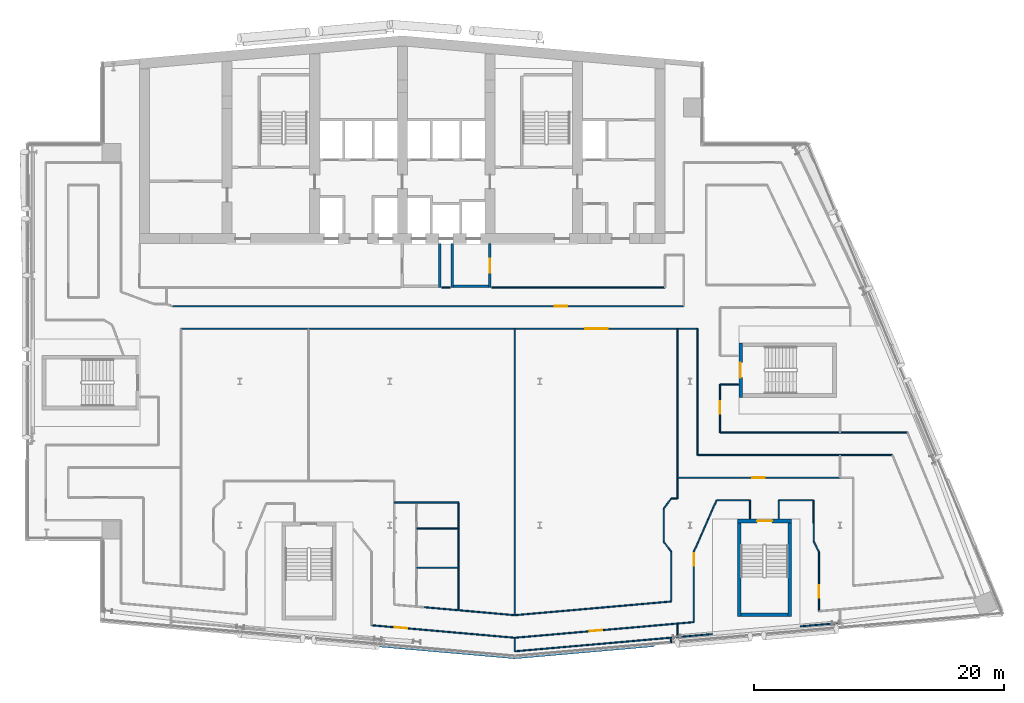
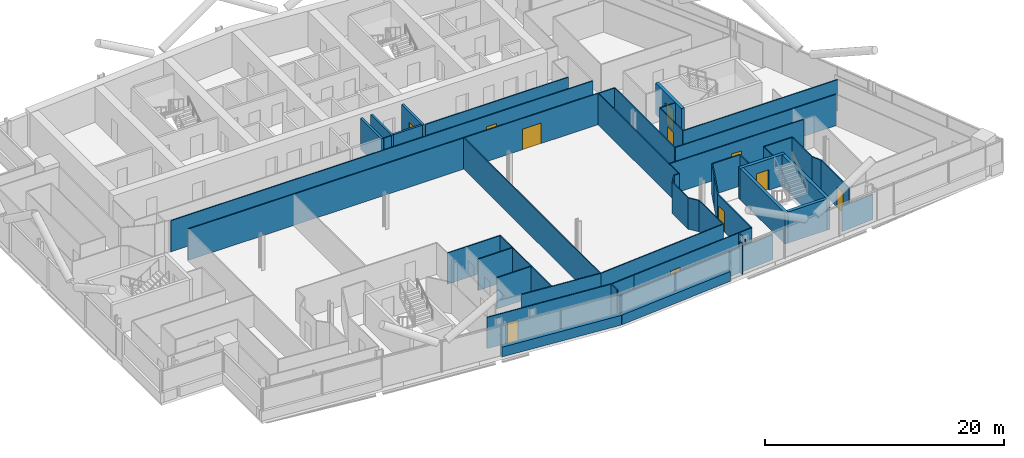
# One storey, part 16 of 28: 52 walls, 11 doors, 11 openings.
"""IFC4 building model written with IfcOpenShell, lengths in metres."""

from ifc_helpers import new_model, si_unit, direction, frame, frame_2d, origin, place, context, subcontext, project, spatial, rectangle, extrude, material, layer, layer_set, type_object, element, fill, save


model = new_model("IFC4")

# Units and contexts
model_context = context("Model", 3, precision=1e-05, world=origin(), true_north=direction((0.0, 1.0)))
body_context = subcontext(model_context, "Body", "Model", "MODEL_VIEW")
ifc_project = project(units=[si_unit("LENGTHUNIT", "METRE"), si_unit("AREAUNIT", "SQUARE_METRE"), si_unit("VOLUMEUNIT", "CUBIC_METRE"), si_unit("PLANEANGLEUNIT", "RADIAN"), si_unit("MASSUNIT", "GRAM", prefix="KILO")], contexts=[model_context])

# Site, building, storey
site_placement = place(None, origin())
site = spatial("IfcSite", under=ifc_project, at=site_placement, CompositionType="ELEMENT")
building_placement = place(site_placement, origin())
building = spatial("IfcBuilding", under=site, at=building_placement, Name="Wharfspan Tower", CompositionType="ELEMENT")
storey_placement = place(building_placement, frame((0.0, 0.0, 187.899902)))
storey = spatial("IfcBuildingStorey", under=building, at=storey_placement, Name="L46", CompositionType="ELEMENT", Elevation=187.899902)

# Wall, opening, door
ifc_material_1 = material(Name="Gypsum board on steel studs", Category="steel")
ifc_layer_1 = layer(ifc_material_1, 0.100098)
ifc_layer_set_1 = layer_set([ifc_layer_1], Name="Gypsum board on steel studs")
wall_type_1 = type_object("IfcWallType", Name="Compartment wall 100 EI 60", PredefinedType="PARTITIONING", material=ifc_layer_set_1)
wall_1_placement = place(storey_placement, frame((18.63501, 29.0, 0.0), z_axis=(0.0, 0.0, 1.0), x_axis=(1.0, 0.0, 0.0)))
wall_1 = element("IfcWall", 1, at=wall_1_placement, inside=storey, type_object=wall_type_1, Name="Partition L46.w035", PredefinedType="PARTITIONING", context=body_context, shape_type="SweptSolid", body=[
    extrude(rectangle(XDim=40.86499, YDim=0.100098, at=frame_2d((20.432617, 0.0))), origin(), (0.0, 0.0, 1.0), 3.200195),
])
opening_1_placement = place(wall_1_placement, frame((30.544922, 0.0, 0.0)))
opening_1 = element("IfcOpeningElement", 2, at=opening_1_placement, cuts=wall_1, Name="Opening C5-20", PredefinedType="OPENING", context=body_context, shape_type="SweptSolid", body=[
    extrude(rectangle(XDim=1.0, YDim=2.100098, at=frame_2d((0.5, 1.050049))), frame((0.0, 0.060059, 0.0), z_axis=(0.0, -1.0, 0.0), x_axis=(1.0, 0.0, 0.0)), (0.0, 0.0, 1.0), 0.120117),
])
ifc_material_2 = material(Name="Fire-rated timber door leaf in steel frame", Category="steel")
door_type_1 = type_object("IfcDoorType", Name="Door 1000 FD30S Right", OperationType="SINGLE_SWING_RIGHT", PredefinedType="DOOR", material=ifc_material_2)
door_1_placement = place(opening_1_placement, origin())
door_1 = element("IfcDoor", 3, at=door_1_placement, inside=storey, type_object=door_type_1, Name="Door C5-20", OperationType="SINGLE_SWING_RIGHT", OverallHeight=2.100098, OverallWidth=1.0, PredefinedType="DOOR", context=body_context, shape_type="SweptSolid", body=[
    extrude(rectangle(XDim=1.0, YDim=2.100098, at=frame_2d((0.5, 1.050049))), frame((0.0, 0.024902, 0.0), z_axis=(0.0, -1.0, 0.0), x_axis=(1.0, 0.0, 0.0)), (0.0, 0.0, 1.0), 0.050049),
])
fill(opening_1, door_1)

wall_2_placement = place(storey_placement, frame((19.300049, 27.199951, 0.0), z_axis=(0.0, 0.0, 1.0), x_axis=(1.0, 0.0, 0.0)))
wall_2 = element("IfcWall", 4, at=wall_2_placement, inside=storey, type_object=wall_type_1, Name="Partition L46.w037", PredefinedType="PARTITIONING", context=body_context, shape_type="SweptSolid", body=[
    extrude(rectangle(XDim=41.304932, YDim=0.100098, at=frame_2d((20.652344, 0.0))), origin(), (0.0, 0.0, 1.0), 3.200195),
])
opening_2_placement = place(wall_2_placement, frame((32.320068, 0.0, 0.0)))
opening_2 = element("IfcOpeningElement", 5, at=opening_2_placement, cuts=wall_2, Name="Opening C5-18", PredefinedType="OPENING", context=body_context, shape_type="SweptSolid", body=[
    extrude(rectangle(XDim=1.800049, YDim=2.100098, at=frame_2d((0.899902, 1.050049))), frame((0.0, 0.060059, 0.0), z_axis=(0.0, -1.0, 0.0), x_axis=(1.0, 0.0, 0.0)), (0.0, 0.0, 1.0), 0.120117),
])
door_type_2 = type_object("IfcDoorType", Name="Door 1800 FD30S Double", OperationType="DOUBLE_DOOR_SINGLE_SWING", PredefinedType="DOOR", material=ifc_material_2)
door_2_placement = place(opening_2_placement, origin())
door_2 = element("IfcDoor", 6, at=door_2_placement, inside=storey, type_object=door_type_2, Name="Door C5-18", OperationType="DOUBLE_DOOR_SINGLE_SWING", OverallHeight=2.100098, OverallWidth=1.800049, PredefinedType="DOOR", context=body_context, shape_type="SweptSolid", body=[
    extrude(rectangle(XDim=1.800049, YDim=2.100098, at=frame_2d((0.899902, 1.050049))), frame((0.0, 0.024902, 0.0), z_axis=(0.0, -1.0, 0.0), x_axis=(1.0, 0.0, 0.0)), (0.0, 0.0, 1.0), 0.050049),
])
fill(opening_2, door_2)

# Walls
wall_3_placement = place(storey_placement, frame((36.350098, 13.300049, 0.0), z_axis=(0.0, 0.0, 1.0), x_axis=(1.0, 0.0, 0.0)))
element("IfcWall", 7, at=wall_3_placement, inside=storey, type_object=wall_type_1, Name="Partition L46.w059", PredefinedType="PARTITIONING", context=body_context, shape_type="SweptSolid", body=[
    extrude(rectangle(XDim=5.149902, YDim=0.100098, at=frame_2d((2.574951, 0.0))), origin(), (0.0, 0.0, 1.0), 3.200195),
])
wall_4_placement = place(storey_placement, frame((41.5, 4.695068, 0.0), z_axis=(0.0, 0.0, 1.0), x_axis=(0.0, 1.0, 0.0)))
element("IfcWall", 8, at=wall_4_placement, inside=storey, type_object=wall_type_1, Name="Partition L46.w065", PredefinedType="PARTITIONING", context=body_context, shape_type="SweptSolid", body=[
    extrude(rectangle(XDim=8.60498, YDim=0.100098, at=frame_2d((4.30249, 0.0))), origin(), (0.0, 0.0, 1.0), 3.200195),
])
wall_5_placement = place(storey_placement, frame((46.0, 4.300049, 0.0), z_axis=(0.0, 0.0, 1.0), x_axis=(-0.996173, 0.087448, 0.0)))
element("IfcWall", 9, at=wall_5_placement, inside=storey, type_object=wall_type_1, Name="Partition L46.w066", PredefinedType="PARTITIONING", context=body_context, shape_type="SweptSolid", body=[
    extrude(rectangle(XDim=7.314697, YDim=0.100098, at=frame_2d((3.657227, 0.0))), origin(), (0.0, 0.0, 1.0), 3.200195),
])
wall_6_placement = place(storey_placement, frame((46.0, 1.415039, 0.0), z_axis=(0.0, 0.0, 1.0), x_axis=(0.0, 1.0, 0.0)))
element("IfcWall", 10, at=wall_6_placement, inside=storey, type_object=wall_type_1, Name="Partition L46.w068", PredefinedType="PARTITIONING", context=body_context, shape_type="SweptSolid", body=[
    extrude(rectangle(XDim=1.080078, YDim=0.100098, at=frame_2d((0.540039, 0.0))), origin(), (0.0, 0.0, 1.0), 3.200195),
])

# Wall, opening, door
wall_7_placement = place(storey_placement, frame((46.0, 2.495117, 0.0), z_axis=(0.0, 0.0, 1.0), x_axis=(-0.996214, 0.08693, 0.0)))
wall_7 = element("IfcWall", 11, at=wall_7_placement, inside=storey, type_object=wall_type_1, Name="Partition L46.w069", PredefinedType="PARTITIONING", context=body_context, shape_type="SweptSolid", body=[
    extrude(rectangle(XDim=11.503418, YDim=0.100098, at=frame_2d((5.751709, 0.0))), origin(), (0.0, 0.0, 1.0), 3.200195),
])
opening_3_placement = place(wall_7_placement, frame((8.64209, 0.0, 0.0)))
opening_3 = element("IfcOpeningElement", 12, at=opening_3_placement, cuts=wall_7, Name="Opening C5-02", PredefinedType="OPENING", context=body_context, shape_type="SweptSolid", body=[
    extrude(rectangle(XDim=1.0, YDim=2.100098, at=frame_2d((0.5, 1.050049))), frame((0.0, 0.060059, 0.0), z_axis=(0.0, -1.0, 0.0), x_axis=(1.0, 0.0, 0.0)), (0.0, 0.0, 1.0), 0.120117),
])
door_3_placement = place(opening_3_placement, origin())
door_3 = element("IfcDoor", 13, at=door_3_placement, inside=storey, type_object=door_type_1, Name="Door C5-02", OperationType="SINGLE_SWING_RIGHT", OverallHeight=2.100098, OverallWidth=1.0, PredefinedType="DOOR", context=body_context, shape_type="SweptSolid", body=[
    extrude(rectangle(XDim=1.0, YDim=2.100098, at=frame_2d((0.5, 1.050049))), frame((0.0, 0.024902, 0.0), z_axis=(0.0, -1.0, 0.0), x_axis=(1.0, 0.0, 0.0)), (0.0, 0.0, 1.0), 0.050049),
])
fill(opening_3, door_3)

# Walls
wall_8_placement = place(storey_placement, frame((46.0, 4.300049, 0.0), z_axis=(0.0, 0.0, 1.0), x_axis=(0.0, 1.0, 0.0)))
element("IfcWall", 14, at=wall_8_placement, inside=storey, type_object=wall_type_1, Name="Partition L46.w070", PredefinedType="PARTITIONING", context=body_context, shape_type="SweptSolid", body=[
    extrude(rectangle(XDim=22.899902, YDim=0.100098, at=frame_2d((11.449951, 0.0))), origin(), (0.0, 0.0, 1.0), 3.200195),
])
wall_9_placement = place(storey_placement, frame((46.0, 2.495117, 0.0), z_axis=(0.0, 0.0, 1.0), x_axis=(0.996324, 0.085703, 0.0)))
element("IfcWall", 15, at=wall_9_placement, inside=storey, type_object=wall_type_1, Name="Partition L46.w071", PredefinedType="PARTITIONING", context=body_context, shape_type="SweptSolid", body=[
    extrude(rectangle(XDim=2.273193, YDim=0.100098, at=frame_2d((1.136719, 0.0))), origin(), (0.0, 0.0, 1.0), 3.200195),
])
wall_10_placement = place(storey_placement, frame((46.0, 4.300049, 0.0), z_axis=(0.0, 0.0, 1.0), x_axis=(0.996189, 0.087194, 0.0)))
element("IfcWall", 16, at=wall_10_placement, inside=storey, type_object=wall_type_1, Name="Partition L46.w072", PredefinedType="PARTITIONING", context=body_context, shape_type="SweptSolid", body=[
    extrude(rectangle(XDim=12.557861, YDim=0.100098, at=frame_2d((6.278809, 0.0))), origin(), (0.0, 0.0, 1.0), 3.200195),
])

# Wall, opening, door
wall_11_placement = place(storey_placement, frame((48.264893, 2.689941, 0.0), z_axis=(0.0, 0.0, 1.0), x_axis=(0.996187, 0.087229, 0.0)))
wall_11 = element("IfcWall", 17, at=wall_11_placement, inside=storey, type_object=wall_type_1, Name="Partition L46.w073", PredefinedType="PARTITIONING", context=body_context, shape_type="SweptSolid", body=[
    extrude(rectangle(XDim=12.091064, YDim=0.100098, at=frame_2d((6.04541, 0.0))), origin(), (0.0, 0.0, 1.0), 3.200195),
])
opening_4_placement = place(wall_11_placement, frame((3.746582, 0.0, 0.0)))
opening_4 = element("IfcOpeningElement", 18, at=opening_4_placement, cuts=wall_11, Name="Opening C5-01", PredefinedType="OPENING", context=body_context, shape_type="SweptSolid", body=[
    extrude(rectangle(XDim=1.0, YDim=2.100098, at=frame_2d((0.5, 1.050049))), frame((0.0, 0.060059, 0.0), z_axis=(0.0, -1.0, 0.0), x_axis=(1.0, 0.0, 0.0)), (0.0, 0.0, 1.0), 0.120117),
])
door_type_3 = type_object("IfcDoorType", Name="Door 1000 FD30S Left", OperationType="SINGLE_SWING_LEFT", PredefinedType="DOOR", material=ifc_material_2)
door_4_placement = place(opening_4_placement, origin())
door_4 = element("IfcDoor", 19, at=door_4_placement, inside=storey, type_object=door_type_3, Name="Door C5-01", OperationType="SINGLE_SWING_LEFT", OverallHeight=2.100098, OverallWidth=1.0, PredefinedType="DOOR", context=body_context, shape_type="SweptSolid", body=[
    extrude(rectangle(XDim=1.0, YDim=2.100098, at=frame_2d((0.5, 1.050049))), frame((0.0, 0.024902, 0.0), z_axis=(0.0, -1.0, 0.0), x_axis=(1.0, 0.0, 0.0)), (0.0, 0.0, 1.0), 0.050049),
])
fill(opening_4, door_4)

# Walls
wall_12_placement = place(storey_placement, frame((57.899902, 10.175049, 0.0), z_axis=(0.0, 0.0, 1.0), x_axis=(0.0, 1.0, 0.0)))
element("IfcWall", 20, at=wall_12_placement, inside=storey, type_object=wall_type_1, Name="Partition L46.w074", PredefinedType="PARTITIONING", context=body_context, shape_type="SweptSolid", body=[
    extrude(rectangle(XDim=2.649902, YDim=0.100098, at=frame_2d((1.324951, 0.0))), origin(), (0.0, 0.0, 1.0), 3.200195),
])
for number, where, z_axis, x_axis, name in (
    (21, (57.899902, 12.824951, 0.0), (0.0, 0.0, 1.0), (0.60639, 0.795174, 0.0), "Partition L46.w075"),
    (22, (58.51001, 9.375, 0.0), (0.0, 0.0, 1.0), (-0.60639, 0.795174, 0.0), "Partition L46.w080"),
):
    element("IfcWall", number, at=place(storey_placement, frame(where, z_axis=z_axis, x_axis=x_axis)), inside=storey, type_object=wall_type_1, Name=name, PredefinedType="PARTITIONING", context=body_context, shape_type="SweptSolid", body=[
        extrude(rectangle(XDim=1.006104, YDim=0.100098, at=frame_2d((0.50293, 0.0))), origin(), (0.0, 0.0, 1.0), 3.200195),
    ])
wall_13_placement = place(storey_placement, frame((58.51001, 5.39502, 0.0), z_axis=(0.0, 0.0, 1.0), x_axis=(0.0, 1.0, 0.0)))
element("IfcWall", 23, at=wall_13_placement, inside=storey, type_object=wall_type_1, Name="Partition L46.w081", PredefinedType="PARTITIONING", context=body_context, shape_type="SweptSolid", body=[
    extrude(rectangle(XDim=3.97998, YDim=0.100098, at=frame_2d((1.98999, 0.0))), origin(), (0.0, 0.0, 1.0), 3.200195),
])
wall_14_placement = place(storey_placement, frame((58.51001, 13.625, 0.0), z_axis=(0.0, 0.0, 1.0), x_axis=(1.0, 0.0, 0.0)))
element("IfcWall", 24, at=wall_14_placement, inside=storey, type_object=wall_type_1, Name="Partition L46.w082", PredefinedType="PARTITIONING", context=body_context, shape_type="SweptSolid", body=[
    extrude(rectangle(XDim=0.48999, YDim=0.100098, at=frame_2d((0.245117, 0.0))), origin(), (0.0, 0.0, 1.0), 3.200195),
])
wall_15_placement = place(storey_placement, frame((59.0, 2.544922, 0.0), z_axis=(0.0, 0.0, 1.0), x_axis=(0.0, 1.0, 0.0)))
element("IfcWall", 25, at=wall_15_placement, inside=storey, type_object=wall_type_1, Name="Partition L46.w083", PredefinedType="PARTITIONING", context=body_context, shape_type="SweptSolid", body=[
    extrude(rectangle(XDim=1.084961, YDim=0.100098, at=frame_2d((0.54248, 0.0))), origin(), (0.0, 0.0, 1.0), 3.200195),
])
wall_16_placement = place(storey_placement, frame((59.0, 13.625, 0.0), z_axis=(0.0, 0.0, 1.0), x_axis=(0.0, 1.0, 0.0)))
element("IfcWall", 26, at=wall_16_placement, inside=storey, type_object=wall_type_1, Name="Partition L46.w084", PredefinedType="PARTITIONING", context=body_context, shape_type="SweptSolid", body=[
    extrude(rectangle(XDim=13.574951, YDim=0.100098, at=frame_2d((6.787598, 0.0))), origin(), (0.0, 0.0, 1.0), 3.200195),
])

# Wall, opening, door
wall_17_placement = place(storey_placement, frame((59.0, 15.284912, 0.0), z_axis=(0.0, 0.0, 1.0), x_axis=(1.0, 0.0, 0.0)))
wall_17 = element("IfcWall", 27, at=wall_17_placement, inside=storey, type_object=wall_type_1, Name="Partition L46.w085", PredefinedType="PARTITIONING", context=body_context, shape_type="SweptSolid", body=[
    extrude(rectangle(XDim=13.0, YDim=0.100098, at=frame_2d((6.5, 0.0))), origin(), (0.0, 0.0, 1.0), 3.200195),
])
opening_5_placement = place(wall_17_placement, frame((5.97998, 0.0, 0.0)))
opening_5 = element("IfcOpeningElement", 28, at=opening_5_placement, cuts=wall_17, Name="Opening C5-16", PredefinedType="OPENING", context=body_context, shape_type="SweptSolid", body=[
    extrude(rectangle(XDim=1.0, YDim=2.100098, at=frame_2d((0.5, 1.050049))), frame((0.0, 0.060059, 0.0), z_axis=(0.0, -1.0, 0.0), x_axis=(1.0, 0.0, 0.0)), (0.0, 0.0, 1.0), 0.120117),
])
door_5_placement = place(opening_5_placement, origin())
door_5 = element("IfcDoor", 29, at=door_5_placement, inside=storey, type_object=door_type_3, Name="Door C5-16", OperationType="SINGLE_SWING_LEFT", OverallHeight=2.100098, OverallWidth=1.0, PredefinedType="DOOR", context=body_context, shape_type="SweptSolid", body=[
    extrude(rectangle(XDim=1.0, YDim=2.100098, at=frame_2d((0.5, 1.050049))), frame((0.0, 0.024902, 0.0), z_axis=(0.0, -1.0, 0.0), x_axis=(1.0, 0.0, 0.0)), (0.0, 0.0, 1.0), 0.050049),
])
fill(opening_5, door_5)

wall_18_placement = place(storey_placement, frame((60.310059, 3.745117, 0.0), z_axis=(0.0, 0.0, 1.0), x_axis=(0.0, 1.0, 0.0)))
wall_18 = element("IfcWall", 30, at=wall_18_placement, inside=storey, type_object=wall_type_1, Name="Partition L46.w089", PredefinedType="PARTITIONING", context=body_context, shape_type="SweptSolid", body=[
    extrude(rectangle(XDim=5.629883, YDim=0.100098, at=frame_2d((2.814941, 0.0))), origin(), (0.0, 0.0, 1.0), 3.200195),
])
opening_6_placement = place(wall_18_placement, frame((4.504639, 0.0, 0.0)))
opening_6 = element("IfcOpeningElement", 31, at=opening_6_placement, cuts=wall_18, Name="Opening C5-09", PredefinedType="OPENING", context=body_context, shape_type="SweptSolid", body=[
    extrude(rectangle(XDim=1.0, YDim=2.100098, at=frame_2d((0.5, 1.050049))), frame((0.0, 0.060059, 0.0), z_axis=(0.0, -1.0, 0.0), x_axis=(1.0, 0.0, 0.0)), (0.0, 0.0, 1.0), 0.120117),
])
door_6_placement = place(opening_6_placement, origin())
door_6 = element("IfcDoor", 32, at=door_6_placement, inside=storey, type_object=door_type_1, Name="Door C5-09", OperationType="SINGLE_SWING_RIGHT", OverallHeight=2.100098, OverallWidth=1.0, PredefinedType="DOOR", context=body_context, shape_type="SweptSolid", body=[
    extrude(rectangle(XDim=1.0, YDim=2.100098, at=frame_2d((0.5, 1.050049))), frame((0.0, 0.024902, 0.0), z_axis=(0.0, -1.0, 0.0), x_axis=(1.0, 0.0, 0.0)), (0.0, 0.0, 1.0), 0.050049),
])
fill(opening_6, door_6)

# Walls
wall_19_placement = place(storey_placement, frame((60.310059, 9.375, 0.0), z_axis=(0.0, 0.0, 1.0), x_axis=(0.404668, 0.914459, 0.0)))
element("IfcWall", 33, at=wall_19_placement, inside=storey, type_object=wall_type_1, Name="Partition L46.w090", PredefinedType="PARTITIONING", context=body_context, shape_type="SweptSolid", body=[
    extrude(rectangle(XDim=2.854248, YDim=0.100098, at=frame_2d((1.427246, 0.0))), origin(), (0.0, 0.0, 1.0), 3.200195),
])
wall_20_placement = place(storey_placement, frame((60.60498, 17.100098, 0.0), z_axis=(0.0, 0.0, 1.0), x_axis=(0.0, 1.0, 0.0)))
element("IfcWall", 34, at=wall_20_placement, inside=storey, type_object=wall_type_1, Name="Partition L46.w091", PredefinedType="PARTITIONING", context=body_context, shape_type="SweptSolid", body=[
    extrude(rectangle(XDim=10.099854, YDim=0.100098, at=frame_2d((5.049805, 0.0))), origin(), (0.0, 0.0, 1.0), 3.200195),
])
wall_21_placement = place(storey_placement, frame((60.60498, 17.100098, 0.0), z_axis=(0.0, 0.0, 1.0), x_axis=(1.0, 0.0, 0.0)))
element("IfcWall", 35, at=wall_21_placement, inside=storey, type_object=wall_type_1, Name="Partition L46.w092", PredefinedType="PARTITIONING", context=body_context, shape_type="SweptSolid", body=[
    extrude(rectangle(XDim=15.580078, YDim=0.100098, at=frame_2d((7.790039, 0.0))), origin(), (0.0, 0.0, 1.0), 3.200195),
])
wall_22_placement = place(storey_placement, frame((61.465088, 11.985107, 0.0), z_axis=(0.0, 0.0, 1.0), x_axis=(0.402692, 0.915331, 0.0)))
element("IfcWall", 36, at=wall_22_placement, inside=storey, type_object=wall_type_1, Name="Partition L46.w096", PredefinedType="PARTITIONING", context=body_context, shape_type="SweptSolid", body=[
    extrude(rectangle(XDim=1.638672, YDim=0.100098, at=frame_2d((0.819336, 0.0))), origin(), (0.0, 0.0, 1.0), 3.200195),
])
wall_23_placement = place(storey_placement, frame((62.125, 13.485107, 0.0), z_axis=(0.0, 0.0, 1.0), x_axis=(1.0, 0.0, 0.0)))
element("IfcWall", 37, at=wall_23_placement, inside=storey, type_object=wall_type_1, Name="Partition L46.w097", PredefinedType="PARTITIONING", context=body_context, shape_type="SweptSolid", body=[
    extrude(rectangle(XDim=2.685059, YDim=0.100098, at=frame_2d((1.342529, 0.0))), origin(), (0.0, 0.0, 1.0), 3.200195),
])

# Wall, opening, door
wall_24_placement = place(storey_placement, frame((62.405029, 18.899902, 0.0), z_axis=(0.0, 0.0, 1.0), x_axis=(0.0, 1.0, 0.0)))
wall_24 = element("IfcWall", 38, at=wall_24_placement, inside=storey, type_object=wall_type_1, Name="Partition L46.w098", PredefinedType="PARTITIONING", context=body_context, shape_type="SweptSolid", body=[
    extrude(rectangle(XDim=3.850098, YDim=0.100098, at=frame_2d((1.925049, 0.0))), origin(), (0.0, 0.0, 1.0), 3.200195),
])
opening_7_placement = place(wall_24_placement, frame((1.5, 0.0, 0.0)))
opening_7 = element("IfcOpeningElement", 39, at=opening_7_placement, cuts=wall_24, Name="Opening C5-17", PredefinedType="OPENING", context=body_context, shape_type="SweptSolid", body=[
    extrude(rectangle(XDim=1.0, YDim=2.100098, at=frame_2d((0.5, 1.050049))), frame((0.0, 0.060059, 0.0), z_axis=(0.0, -1.0, 0.0), x_axis=(1.0, 0.0, 0.0)), (0.0, 0.0, 1.0), 0.120117),
])
door_7_placement = place(opening_7_placement, origin())
door_7 = element("IfcDoor", 40, at=door_7_placement, inside=storey, type_object=door_type_1, Name="Door C5-17", OperationType="SINGLE_SWING_RIGHT", OverallHeight=2.100098, OverallWidth=1.0, PredefinedType="DOOR", context=body_context, shape_type="SweptSolid", body=[
    extrude(rectangle(XDim=1.0, YDim=2.100098, at=frame_2d((0.5, 1.050049))), frame((0.0, 0.024902, 0.0), z_axis=(0.0, -1.0, 0.0), x_axis=(1.0, 0.0, 0.0)), (0.0, 0.0, 1.0), 0.050049),
])
fill(opening_7, door_7)

# Walls
wall_25_placement = place(storey_placement, frame((62.405029, 18.899902, 0.0), z_axis=(0.0, 0.0, 1.0), x_axis=(1.0, 0.0, 0.0)))
element("IfcWall", 41, at=wall_25_placement, inside=storey, type_object=wall_type_1, Name="Partition L46.w099", PredefinedType="PARTITIONING", context=body_context, shape_type="SweptSolid", body=[
    extrude(rectangle(XDim=14.984863, YDim=0.100098, at=frame_2d((7.492432, 0.0))), origin(), (0.0, 0.0, 1.0), 3.200195),
])
wall_26_placement = place(storey_placement, frame((62.405029, 22.75, 0.0), z_axis=(0.0, 0.0, 1.0), x_axis=(1.0, 0.0, 0.0)))
element("IfcWall", 42, at=wall_26_placement, inside=storey, type_object=wall_type_1, Name="Partition L46.w100", PredefinedType="PARTITIONING", context=body_context, shape_type="SweptSolid", body=[
    extrude(rectangle(XDim=1.479492, YDim=0.100098, at=frame_2d((0.739746, 0.0))), origin(), (0.0, 0.0, 1.0), 3.200195),
])
for number, where, z_axis, x_axis, name in (
    (43, (64.810059, 12.003662, 0.0), (0.0, 0.0, 1.0), (0.0, 1.0, 0.0), "Partition L46.w104"),
    (44, (67.110107, 12.003662, 0.0), (0.0, 0.0, 1.0), (0.0, 1.0, 0.0), "Partition L46.w105"),
):
    element("IfcWall", number, at=place(storey_placement, frame(where, z_axis=z_axis, x_axis=x_axis)), inside=storey, type_object=wall_type_1, Name=name, PredefinedType="PARTITIONING", context=body_context, shape_type="SweptSolid", body=[
        extrude(rectangle(XDim=1.481445, YDim=0.100098, at=frame_2d((0.740723, 0.0))), origin(), (0.0, 0.0, 1.0), 3.200195),
    ])
wall_27_placement = place(storey_placement, frame((67.110107, 13.485107, 0.0), z_axis=(0.0, 0.0, 1.0), x_axis=(1.0, 0.0, 0.0)))
element("IfcWall", 45, at=wall_27_placement, inside=storey, type_object=wall_type_1, Name="Partition L46.w106", PredefinedType="PARTITIONING", context=body_context, shape_type="SweptSolid", body=[
    extrude(rectangle(XDim=2.764893, YDim=0.100098, at=frame_2d((1.382324, 0.0))), origin(), (0.0, 0.0, 1.0), 3.200195),
])
wall_28_placement = place(storey_placement, frame((69.899902, 10.175049, 0.0), z_axis=(0.0, 0.0, 1.0), x_axis=(-0.007523, 0.999969, 0.0)))
element("IfcWall", 46, at=wall_28_placement, inside=storey, type_object=wall_type_1, Name="Partition L46.w108", PredefinedType="PARTITIONING", context=body_context, shape_type="SweptSolid", body=[
    extrude(rectangle(XDim=3.310059, YDim=0.100098, at=frame_2d((1.655029, 0.0))), origin(), (0.0, 0.0, 1.0), 3.200195),
])
wall_29_placement = place(storey_placement, frame((70.310059, 9.375, 0.0), z_axis=(0.0, 0.0, 1.0), x_axis=(-0.456208, 0.889877, 0.0)))
element("IfcWall", 47, at=wall_29_placement, inside=storey, type_object=wall_type_1, Name="Partition L46.w111", PredefinedType="PARTITIONING", context=body_context, shape_type="SweptSolid", body=[
    extrude(rectangle(XDim=0.89917, YDim=0.100098, at=frame_2d((0.449707, 0.0))), origin(), (0.0, 0.0, 1.0), 3.200195),
])

# Wall, opening, door
wall_30_placement = place(storey_placement, frame((70.310059, 4.620117, 0.0), z_axis=(0.0, 0.0, 1.0), x_axis=(0.0, 1.0, 0.0)))
wall_30 = element("IfcWall", 48, at=wall_30_placement, inside=storey, type_object=wall_type_1, Name="Partition L46.w112", PredefinedType="PARTITIONING", context=body_context, shape_type="SweptSolid", body=[
    extrude(rectangle(XDim=4.754883, YDim=0.100098, at=frame_2d((2.377441, 0.0))), origin(), (0.0, 0.0, 1.0), 3.200195),
])
opening_8_placement = place(wall_30_placement, frame((1.054932, 0.0, 0.0)))
opening_8 = element("IfcOpeningElement", 49, at=opening_8_placement, cuts=wall_30, Name="Opening C5-03", PredefinedType="OPENING", context=body_context, shape_type="SweptSolid", body=[
    extrude(rectangle(XDim=1.0, YDim=2.100098, at=frame_2d((0.5, 1.050049))), frame((0.0, 0.060059, 0.0), z_axis=(0.0, -1.0, 0.0), x_axis=(1.0, 0.0, 0.0)), (0.0, 0.0, 1.0), 0.120117),
])
door_8_placement = place(opening_8_placement, origin())
door_8 = element("IfcDoor", 50, at=door_8_placement, inside=storey, type_object=door_type_3, Name="Door C5-03", OperationType="SINGLE_SWING_LEFT", OverallHeight=2.100098, OverallWidth=1.0, PredefinedType="DOOR", context=body_context, shape_type="SweptSolid", body=[
    extrude(rectangle(XDim=1.0, YDim=2.100098, at=frame_2d((0.5, 1.050049))), frame((0.0, 0.024902, 0.0), z_axis=(0.0, -1.0, 0.0), x_axis=(1.0, 0.0, 0.0)), (0.0, 0.0, 1.0), 0.050049),
])
fill(opening_8, door_8)

# Walls
wall_31_placement = place(storey_placement, frame((40.149902, 30.5, 0.0), z_axis=(0.0, 0.0, 1.0), x_axis=(1.0, 0.0, 0.0)))
element("IfcWall", 51, at=wall_31_placement, inside=storey, type_object=wall_type_1, Name="Partition L46.w023 (2)", PredefinedType="PARTITIONING", context=body_context, shape_type="SweptSolid", body=[
    extrude(rectangle(XDim=0.700195, YDim=0.100098, at=frame_2d((0.350098, 0.0))), origin(), (0.0, 0.0, 1.0), 3.200195),
])
wall_32_placement = place(storey_placement, frame((44.149902, 30.5, 0.0), z_axis=(0.0, 0.0, 1.0), x_axis=(1.0, 0.0, 0.0)))
element("IfcWall", 52, at=wall_32_placement, inside=storey, type_object=wall_type_1, Name="Partition L46.w023 (3)", PredefinedType="PARTITIONING", context=body_context, shape_type="SweptSolid", body=[
    extrude(rectangle(XDim=13.850098, YDim=0.100098, at=frame_2d((6.925049, 0.0))), origin(), (0.0, 0.0, 1.0), 3.200195),
])
ifc_material_3 = material(Name="Concrete C30/37", Category="concrete")
ifc_layer_2 = layer(ifc_material_3, 0.199951)
ifc_layer_set_2 = layer_set([ifc_layer_2], Name="Concrete C30/37")
wall_type_2 = type_object("IfcWallType", Name="Lobby wall 200", PredefinedType="PARTITIONING", material=ifc_layer_set_2)
for number, where, z_axis, x_axis, name in (
    (53, (40.0, 30.5, 0.0), (0.0, 0.0, 1.0), (0.0, 1.0, 0.0), "sw:L46:FLFF1E"),
    (54, (41.0, 30.5, 0.0), (0.0, 0.0, 1.0), (0.0, 1.0, 0.0), "sw:L46:FLFF2W"),
):
    element("IfcWall", number, at=place(storey_placement, frame(where, z_axis=z_axis, x_axis=x_axis)), inside=storey, type_object=wall_type_2, Name=name, PredefinedType="PARTITIONING", context=body_context, shape_type="SweptSolid", body=[
        extrude(rectangle(XDim=3.5, YDim=0.199951, at=frame_2d((1.75, 0.0))), origin(), (0.0, 0.0, 1.0), 3.200195),
    ])

# Wall, opening, door
wall_33_placement = place(storey_placement, frame((44.0, 30.5, 0.0), z_axis=(0.0, 0.0, 1.0), x_axis=(0.0, 1.0, 0.0)))
wall_33 = element("IfcWall", 55, at=wall_33_placement, inside=storey, type_object=wall_type_2, Name="sw:L46:FLFF2E", PredefinedType="PARTITIONING", context=body_context, shape_type="SweptSolid", body=[
    extrude(rectangle(XDim=3.5, YDim=0.199951, at=frame_2d((1.75, 0.0))), origin(), (0.0, 0.0, 1.0), 3.200195),
])
opening_9_placement = place(wall_33_placement, frame((1.199951, 0.0, 0.0)))
opening_9 = element("IfcOpeningElement", 56, at=opening_9_placement, cuts=wall_33, Name="Opening FL.FF2.L46", PredefinedType="OPENING", context=body_context, shape_type="SweptSolid", body=[
    extrude(rectangle(XDim=1.100098, YDim=2.100098, at=frame_2d((0.550049, 1.050049))), frame((0.0, 0.109863, 0.0), z_axis=(0.0, -1.0, 0.0), x_axis=(1.0, 0.0, 0.0)), (0.0, 0.0, 1.0), 0.219971),
])
ifc_material_4 = material(Name="Steel door leaf", Category="steel")
door_type_4 = type_object("IfcDoorType", Name="Firefighting lobby door 1100x2100", OperationType="SINGLE_SWING_LEFT", PredefinedType="DOOR", material=ifc_material_4)
door_9_placement = place(opening_9_placement, origin())
door_9 = element("IfcDoor", 57, at=door_9_placement, inside=storey, type_object=door_type_4, Name="fd:L46:FF2", OperationType="SINGLE_SWING_LEFT", OverallHeight=2.100098, OverallWidth=1.100098, PredefinedType="DOOR", context=body_context, shape_type="SweptSolid", body=[
    extrude(rectangle(XDim=1.100098, YDim=2.100098, at=frame_2d((0.550049, 1.050049))), frame((0.0, 0.024902, 0.0), z_axis=(0.0, -1.0, 0.0), x_axis=(1.0, 0.0, 0.0)), (0.0, 0.0, 1.0), 0.050049),
])
fill(opening_9, door_9)

# Walls
wall_34_placement = place(storey_placement, frame((41.100098, 30.600098, 0.0), z_axis=(0.0, 0.0, 1.0), x_axis=(1.0, 0.0, 0.0)))
element("IfcWall", 58, at=wall_34_placement, inside=storey, type_object=wall_type_2, Name="sw:L46:FLFF2F", PredefinedType="PARTITIONING", context=body_context, shape_type="SweptSolid", body=[
    extrude(rectangle(XDim=2.799805, YDim=0.199951, at=frame_2d((1.399902, 0.0))), origin(), (0.0, 0.0, 1.0), 3.200195),
])
ifc_layer_3 = layer(ifc_material_1, 0.100098)
ifc_layer_set_3 = layer_set([ifc_layer_3], Name="Gypsum board on steel studs")
wall_type_3 = type_object("IfcWallType", Name="Partition 100", PredefinedType="PARTITIONING", material=ifc_layer_set_3)
for number, where, z_axis, x_axis, name in (
    (59, (38.139893, 8.094971, 0.0), (0.0, 0.0, 1.0), (1.0, 0.0, 0.0), "Partition L46.w062"),
    (60, (38.139893, 11.235107, 0.0), (0.0, 0.0, 1.0), (1.0, 0.0, 0.0), "Partition L46.w063"),
):
    element("IfcWall", number, at=place(storey_placement, frame(where, z_axis=z_axis, x_axis=x_axis)), inside=storey, type_object=wall_type_3, Name=name, PredefinedType="PARTITIONING", context=body_context, shape_type="SweptSolid", body=[
        extrude(rectangle(XDim=3.360107, YDim=0.100098, at=frame_2d((1.680176, 0.0))), origin(), (0.0, 0.0, 1.0), 3.200195),
    ])
wall_35_placement = place(storey_placement, frame((46.0, 1.409912, 0.0), z_axis=(0.0, 0.0, 1.0), x_axis=(0.996213, 0.086958, 0.0)))
element("IfcWall", 61, at=wall_35_placement, inside=storey, type_object=wall_type_3, Name="Partition L46.w067", PredefinedType="PARTITIONING", context=body_context, shape_type="SweptSolid", body=[
    extrude(rectangle(XDim=15.851562, YDim=0.100098, at=frame_2d((7.925781, 0.0))), origin(), (0.0, 0.0, 1.0), 2.580078),
])
wall_36_placement = place(storey_placement, frame((58.498291, 2.101562, 0.0), z_axis=(0.0, 0.0, 1.0), x_axis=(-0.083045, 0.996542, 0.0)))
element("IfcWall", 62, at=wall_36_placement, inside=storey, type_object=wall_type_3, Name="Partition L46.w079", PredefinedType="PARTITIONING", context=body_context, shape_type="SweptSolid", body=[
    extrude(rectangle(XDim=0.399902, YDim=0.100098, at=frame_2d((0.199951, 0.0))), origin(), (0.0, 0.0, 1.0), 3.200195),
])
wall_37_placement = place(storey_placement, frame((68.831299, 3.406738, 0.0), z_axis=(0.0, 0.0, 1.0), x_axis=(0.996308, 0.085898, 0.0)))
element("IfcWall", 63, at=wall_37_placement, inside=storey, type_object=wall_type_3, Name="Partition L46.w107", PredefinedType="PARTITIONING", context=body_context, shape_type="SweptSolid", body=[
    extrude(rectangle(XDim=3.18042, YDim=0.100098, at=frame_2d((1.590332, 0.0))), origin(), (0.0, 0.0, 1.0), 2.580078),
])
ifc_material_5 = material(Name="Concrete C40/50", Category="concrete")
ifc_layer_4 = layer(ifc_material_5, 0.350098)
ifc_layer_set_4 = layer_set([ifc_layer_4], Name="Concrete C40/50")
wall_type_4 = type_object("IfcWallType", Name="SPANDREL EXPOSED CONCRETE 350", PredefinedType="SOLIDWALL", material=ifc_layer_set_4)
wall_38_placement = place(storey_placement, frame((35.029541, 1.942627, 0.0), z_axis=(0.0, 0.0, 1.0), x_axis=(0.996199, -0.08714, 0.0)))
element("IfcWall", 64, at=wall_38_placement, inside=storey, type_object=wall_type_4, Name="Spandrel upstand L46 S1 2", PredefinedType="SOLIDWALL", context=body_context, shape_type="SweptSolid", body=[
    extrude(rectangle(XDim=11.027588, YDim=0.350098, at=frame_2d((5.513672, 0.0))), origin(), (0.0, 0.0, 1.0), 1.0),
])
wall_39_placement = place(storey_placement, frame((46.04541, 0.986816, 0.0), z_axis=(0.0, 0.0, 1.0), x_axis=(0.996193, 0.087171, 0.0)))
element("IfcWall", 65, at=wall_39_placement, inside=storey, type_object=wall_type_4, Name="Spandrel upstand L46 S2 1", PredefinedType="SOLIDWALL", context=body_context, shape_type="SweptSolid", body=[
    extrude(rectangle(XDim=11.110352, YDim=0.350098, at=frame_2d((5.555176, 0.0))), origin(), (0.0, 0.0, 1.0), 1.0),
])

# Wall, opening, door
ifc_layer_5 = layer(ifc_material_5, 0.300049)
ifc_layer_set_5 = layer_set([ifc_layer_5], Name="Concrete C40/50")
wall_type_5 = type_object("IfcWallType", Name="Stair core wall 300", PredefinedType="SHEAR", material=ifc_layer_set_5)
wall_40_placement = place(storey_placement, frame((63.786377, 11.83374, 0.0), z_axis=(0.0, 0.0, 1.0), x_axis=(1.0, 0.0, 0.0)))
wall_40 = element("IfcWall", 66, at=wall_40_placement, inside=storey, type_object=wall_type_5, Name="ST5 stair enclosure wall L46", PredefinedType="SHEAR", context=body_context, shape_type="SweptSolid", body=[
    extrude(rectangle(XDim=4.350098, YDim=0.300049, at=frame_2d((2.175049, 0.0))), origin(), (0.0, 0.0, 1.0), 3.200195),
])
opening_10_placement = place(wall_40_placement, frame((1.574951, 0.0, 0.0)))
opening_10 = element("IfcOpeningElement", 67, at=opening_10_placement, cuts=wall_40, Name="Opening SD5.L46", PredefinedType="OPENING", context=body_context, shape_type="SweptSolid", body=[
    extrude(rectangle(XDim=1.199951, YDim=2.100098, at=frame_2d((0.600098, 1.050049))), frame((0.0, 0.159912, 0.0), z_axis=(0.0, -1.0, 0.0), x_axis=(1.0, 0.0, 0.0)), (0.0, 0.0, 1.0), 0.320068),
])
door_type_5 = type_object("IfcDoorType", Name="Stair door 1200x2100", OperationType="SINGLE_SWING_LEFT", PredefinedType="DOOR", material=ifc_material_4)
door_10_placement = place(opening_10_placement, origin())
door_10 = element("IfcDoor", 68, at=door_10_placement, inside=storey, type_object=door_type_5, Name="sd:L46:ST5z3", OperationType="SINGLE_SWING_RIGHT", OverallHeight=2.100098, OverallWidth=1.199951, PredefinedType="DOOR", context=body_context, shape_type="SweptSolid", body=[
    extrude(rectangle(XDim=1.199951, YDim=2.100098, at=frame_2d((0.600098, 1.050049))), frame((0.0, 0.024902, 0.0), z_axis=(0.0, -1.0, 0.0), x_axis=(1.0, 0.0, 0.0)), (0.0, 0.0, 1.0), 0.050049),
])
fill(opening_10, door_10)

wall_41_placement = place(storey_placement, frame((64.054688, 21.725098, 0.0), z_axis=(0.0, 0.0, 1.0), x_axis=(0.0, 1.0, 0.0)))
wall_41 = element("IfcWall", 69, at=wall_41_placement, inside=storey, type_object=wall_type_5, Name="ST6 stair enclosure wall L46", PredefinedType="SHEAR", context=body_context, shape_type="SweptSolid", body=[
    extrude(rectangle(XDim=4.349854, YDim=0.300049, at=frame_2d((2.174805, 0.0))), origin(), (0.0, 0.0, 1.0), 3.200195),
])
opening_11_placement = place(wall_41_placement, frame((1.574951, 0.0, 0.0)))
opening_11 = element("IfcOpeningElement", 70, at=opening_11_placement, cuts=wall_41, Name="Opening SD6.L46", PredefinedType="OPENING", context=body_context, shape_type="SweptSolid", body=[
    extrude(rectangle(XDim=1.199951, YDim=2.100098, at=frame_2d((0.600098, 1.050049))), frame((0.0, 0.159912, 0.0), z_axis=(0.0, -1.0, 0.0), x_axis=(1.0, 0.0, 0.0)), (0.0, 0.0, 1.0), 0.320068),
])
door_11_placement = place(opening_11_placement, origin())
door_11 = element("IfcDoor", 71, at=door_11_placement, inside=storey, type_object=door_type_5, Name="sd:L46:ST6z3", OperationType="SINGLE_SWING_RIGHT", OverallHeight=2.100098, OverallWidth=1.199951, PredefinedType="DOOR", context=body_context, shape_type="SweptSolid", body=[
    extrude(rectangle(XDim=1.199951, YDim=2.100098, at=frame_2d((0.600098, 1.050049))), frame((0.0, 0.024902, 0.0), z_axis=(0.0, -1.0, 0.0), x_axis=(1.0, 0.0, 0.0)), (0.0, 0.0, 1.0), 0.050049),
])
fill(opening_11, door_11)

# Walls
for number, where, z_axis, x_axis, name in (
    (72, (63.936279, 4.183594, 0.0), (0.0, 0.0, 1.0), (0.0, 1.0, 0.0), "ST5 stair enclosure wall L46"),
    (73, (67.986328, 4.183594, 0.0), (0.0, 0.0, 1.0), (0.0, 1.0, 0.0), "ST5 stair enclosure wall L46"),
):
    element("IfcWall", number, at=place(storey_placement, frame(where, z_axis=z_axis, x_axis=x_axis)), inside=storey, type_object=wall_type_5, Name=name, PredefinedType="SHEAR", context=body_context, shape_type="SweptSolid", body=[
        extrude(rectangle(XDim=7.5, YDim=0.300049, at=frame_2d((3.75, 0.0))), origin(), (0.0, 0.0, 1.0), 3.200195),
    ])
wall_42_placement = place(storey_placement, frame((64.086426, 4.33374, 0.0), z_axis=(0.0, 0.0, 1.0), x_axis=(1.0, 0.0, 0.0)))
element("IfcWall", 74, at=wall_42_placement, inside=storey, type_object=wall_type_5, Name="ST5 stair enclosure wall L46", PredefinedType="SHEAR", context=body_context, shape_type="SweptSolid", body=[
    extrude(rectangle(XDim=3.75, YDim=0.300049, at=frame_2d((1.875, 0.0))), origin(), (0.0, 0.0, 1.0), 3.200195),
])

save(model, "model.ifc")
